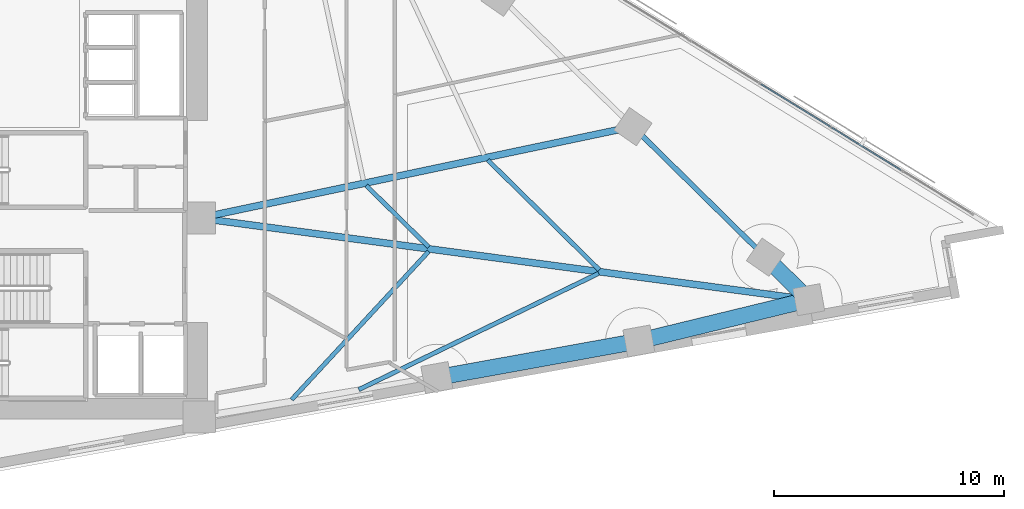
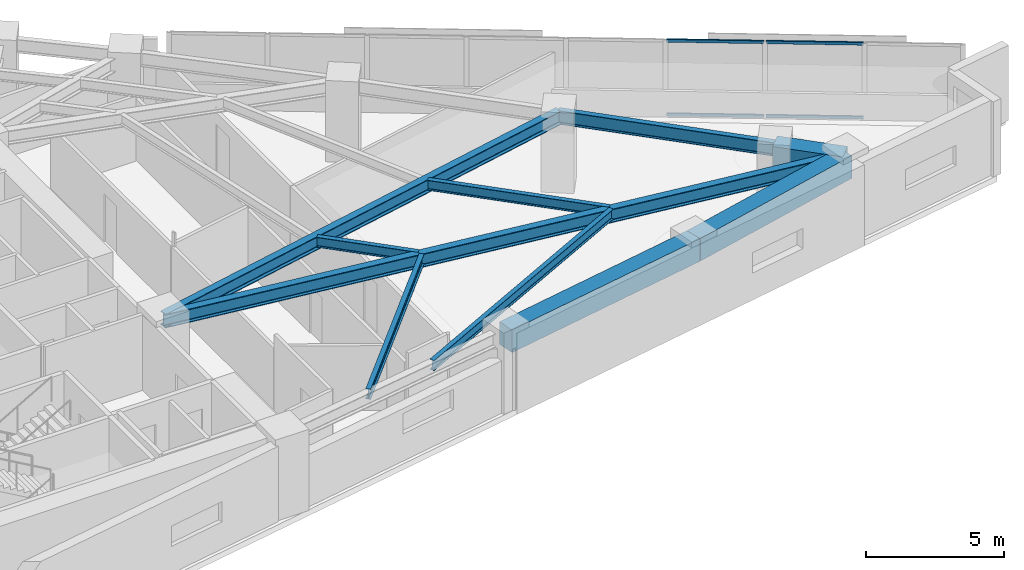
# One storey, part 3 of 18: 10 beams, 4 members, 1 element without a shape of its own.
"""IFC4 building model written with IfcOpenShell, lengths in metres."""

import ifcopenshell
import ifcopenshell.guid

model = None  # the IFC model being written
_history = None  # IfcOwnerHistory: only IFC2X3 demands one
_inside = {}  # id of a spatial element -> (the spatial element, [elements in it])
_under = {}  # id of a project, library or spatial element -> (it, [spatial elements below it])
_declared = {}  # id of a project -> (the project, [libraries it declares])
_typed = {}  # id of a type object -> (the type object, [elements of that type])
_made_of = {}  # id of a material, layer set ... -> (it, [elements and type objects made of it])


def new_model(schema):
    """Start an empty IFC model of exactly this schema.

    Asked for "IFC4X3", IfcOpenShell would pick the latest addendum, in which some entities
    have other attributes; the version numbers below select the first issue.
    IFC2X3 requires an IfcOwnerHistory on every rooted entity: one is made here for all.
    """
    global model, _history
    if schema == "IFC4X3":
        model = ifcopenshell.file(schema_version=(4, 3, 0, 0))
    else:
        model = ifcopenshell.file(schema=schema)
    _inside.clear()
    _under.clear()
    _declared.clear()
    _typed.clear()
    _made_of.clear()
    _history = None
    if model.schema == "IFC2X3":
        org = make("IfcOrganization", Name="unknown")
        user = make(
            "IfcPersonAndOrganization",
            ThePerson=make("IfcPerson", FamilyName="unknown"),
            TheOrganization=org,
        )
        app = make(
            "IfcApplication",
            ApplicationDeveloper=org,
            Version="unknown",
            ApplicationFullName="unknown",
            ApplicationIdentifier="unknown",
        )
        _history = make(
            "IfcOwnerHistory",
            OwningUser=user,
            OwningApplication=app,
            ChangeAction="ADDED",
            CreationDate=0,
        )
    return model


def make(cls, **values):
    """One entity of the class cls with the attributes given. An attribute that is None is left unset."""
    return model.create_entity(
        cls, **{name: value for name, value in values.items() if value is not None}
    )


def rooted(cls, **values):
    """An entity with a GlobalId (a new one), such as an element, a storey or a relation."""
    return make(cls, GlobalId=ifcopenshell.guid.new(), OwnerHistory=_history, **values)


def si_unit(unit_type, name, prefix=None):
    """IfcSIUnit, for example si_unit("LENGTHUNIT", "METRE", prefix="MILLI")."""
    return make("IfcSIUnit", UnitType=unit_type, Prefix=prefix, Name=name)


def assignment(units):
    """IfcUnitAssignment: the units of a project."""
    return None if units is None else make("IfcUnitAssignment", Units=units)


def point(xyz):
    """IfcCartesianPoint."""
    return None if xyz is None else make("IfcCartesianPoint", Coordinates=xyz)


def direction(xyz):
    """IfcDirection."""
    return None if xyz is None else make("IfcDirection", DirectionRatios=xyz)


def frame(location, z_axis=None, x_axis=None):
    """IfcAxis2Placement3D, a coordinate frame: its origin and axes. An axis left out is left unset."""
    return make(
        "IfcAxis2Placement3D",
        Location=point(location),
        Axis=direction(z_axis),
        RefDirection=direction(x_axis),
    )


def frame_2d(location, x_axis=None):
    """IfcAxis2Placement2D, a coordinate frame in the plane: its origin and x axis."""
    return make(
        "IfcAxis2Placement2D", Location=point(location), RefDirection=direction(x_axis)
    )


def origin():
    """The frame at (0, 0, 0) with its axes left unset."""
    return frame((0.0, 0.0, 0.0))


def origin_2d():
    """The frame at (0, 0) in the plane with its x axis left unset."""
    return frame_2d((0.0, 0.0))


def place(relative_to, where):
    """IfcLocalPlacement: puts the frame where relative to a parent placement (None: the world)."""
    return make(
        "IfcLocalPlacement", PlacementRelTo=relative_to, RelativePlacement=where
    )


def context(
    kind, dimensions, precision=None, world=None, true_north=None, identifier=None
):
    """IfcGeometricRepresentationContext, for example the 3D "Model" context."""
    return make(
        "IfcGeometricRepresentationContext",
        ContextIdentifier=identifier,
        ContextType=kind,
        CoordinateSpaceDimension=dimensions,
        Precision=precision,
        WorldCoordinateSystem=world,
        TrueNorth=true_north,
    )


def subcontext(parent, identifier, kind, view, scale=None):
    """IfcGeometricRepresentationSubContext, for example "Body" below "Model"."""
    return make(
        "IfcGeometricRepresentationSubContext",
        ContextIdentifier=identifier,
        ContextType=kind,
        ParentContext=parent,
        TargetScale=scale,
        TargetView=view,
    )


def project(units=None, contexts=None):
    """IfcProject with its units and contexts."""
    return rooted(
        "IfcProject",
        Name="project",
        RepresentationContexts=contexts,
        UnitsInContext=assignment(units),
    )


def spatial(cls, under=None, at=None, **own):
    """A site, building, storey or space (cls), placed at a placement, below another one or the project."""
    s = rooted(cls, ObjectPlacement=at, **own)
    if under is not None:
        _under.setdefault(under.id(), (under, []))[1].append(s)
    return s


def profile(cls, at=None, kind="AREA", **sizes):
    """A parametric profile (cls). Its sizes go by their IFC names, for example OverallWidth=200.0."""
    return make(cls, ProfileType=kind, Position=at, **sizes)


def rectangle(**sizes):
    """IfcRectangleProfileDef."""
    return profile("IfcRectangleProfileDef", **sizes)


def hollow_rectangle(**sizes):
    """IfcRectangleHollowProfileDef."""
    return profile("IfcRectangleHollowProfileDef", **sizes)


def i_section(**sizes):
    """IfcIShapeProfileDef."""
    return profile("IfcIShapeProfileDef", **sizes)


def extrude(swept, where, along, depth):
    """IfcExtrudedAreaSolid: the profile swept, set in the frame where, extruded along a direction by depth."""
    return make(
        "IfcExtrudedAreaSolid",
        SweptArea=swept,
        Position=where,
        ExtrudedDirection=direction(along),
        Depth=depth,
    )


def shape(context_of_items, identifier, shape_type, items):
    """IfcShapeRepresentation: the items that make up one representation, for example the "Body"."""
    return make(
        "IfcShapeRepresentation",
        ContextOfItems=context_of_items,
        RepresentationIdentifier=identifier,
        RepresentationType=shape_type,
        Items=items,
    )


def material(Name=None, Category=None):
    """IfcMaterial."""
    return make("IfcMaterial", Name=Name, Category=Category)


def material_profile(
    of_material, cross_section, Name=None, Category=None, Priority=None
):
    """IfcMaterialProfile: a cross section and its material."""
    return make(
        "IfcMaterialProfile",
        Name=Name,
        Material=of_material,
        Profile=cross_section,
        Priority=Priority,
        Category=Category,
    )


def profile_set(profiles, Name=None, composite=None):
    """IfcMaterialProfileSet."""
    return make(
        "IfcMaterialProfileSet",
        Name=Name,
        MaterialProfiles=profiles,
        CompositeProfile=composite,
    )


def made_of(thing, what):
    """Note that an element or type object is made of a material, layer set ...; save() writes the relation."""
    if what is not None:
        _made_of.setdefault(what.id(), (what, []))[1].append(thing)
    return thing


def type_object(cls, material=None, **own):
    """A type object (cls), such as IfcWallType, which elements share."""
    return made_of(rooted(cls, **own), material)


def element(
    cls,
    number,
    at=None,
    inside=None,
    cuts=None,
    type_object=None,
    material=None,
    context=None,
    identifier="Body",
    shape_type=None,
    held_by="IfcProductDefinitionShape",
    body=None,
    shapes=None,
    **own,
):
    """One element of the class cls, such as IfcWall. Its Tag is "e" and its number.

    at: its placement. inside: the storey or other place that contains it. cuts: it is an
    opening in that element (IfcRelVoidsElement). A single representation is given by context,
    identifier, shape_type and body (its items); several are given by shapes. held_by: the class
    of the entity that holds the representations. save() writes the other relations.
    """
    e = rooted(cls, Tag="e%d" % number, ObjectPlacement=at, **own)
    if body is not None:
        shapes = [shape(context, identifier, shape_type, body)]
    if shapes is not None:
        e.Representation = make(held_by, Representations=shapes)
    if inside is not None:
        _inside.setdefault(inside.id(), (inside, []))[1].append(e)
    if cuts is not None:
        rooted(
            "IfcRelVoidsElement", RelatingBuildingElement=cuts, RelatedOpeningElement=e
        )
    if type_object is not None:
        _typed.setdefault(type_object.id(), (type_object, []))[1].append(e)
    return made_of(e, material)


def aggregate(whole, parts):
    """IfcRelAggregates: a whole, such as a stair, and the parts it consists of."""
    return rooted("IfcRelAggregates", RelatingObject=whole, RelatedObjects=parts)


def save(model, path):
    """Write the relations noted so far, then the file.

    IfcRelAggregates (storeys below a building ...), IfcRelContainedInSpatialStructure (elements
    in a storey), IfcRelDefinesByType, IfcRelAssociatesMaterial and IfcRelDeclares: one each for
    every whole, place, type object, material and project.
    """
    for whole, parts in _under.values():
        aggregate(whole, parts)
    for where, things in _inside.values():
        rooted(
            "IfcRelContainedInSpatialStructure",
            RelatedElements=things,
            RelatingStructure=where,
        )
    for kind, things in _typed.values():
        rooted("IfcRelDefinesByType", RelatedObjects=things, RelatingType=kind)
    for what, things in _made_of.values():
        rooted("IfcRelAssociatesMaterial", RelatedObjects=things, RelatingMaterial=what)
    for by, libraries in _declared.values():
        rooted("IfcRelDeclares", RelatingContext=by, RelatedDefinitions=libraries)
    model.write(path)


model = new_model("IFC4")

# Units and contexts
model_context = context("Model", 3, precision=1e-05, world=origin(), true_north=direction((0.0, 1.0)))
body_context = subcontext(model_context, "Body", "Model", "MODEL_VIEW")
ifc_project = project(units=[si_unit("LENGTHUNIT", "METRE"), si_unit("AREAUNIT", "SQUARE_METRE"), si_unit("VOLUMEUNIT", "CUBIC_METRE"), si_unit("PLANEANGLEUNIT", "RADIAN"), si_unit("MASSUNIT", "GRAM", prefix="KILO")], contexts=[model_context])

# Site, building, storey
site_placement = place(None, origin())
site = spatial("IfcSite", under=ifc_project, at=site_placement, CompositionType="ELEMENT")
building_placement = place(site_placement, origin())
building = spatial("IfcBuilding", under=site, at=building_placement, Name="Narakoshi Arena Tower", CompositionType="ELEMENT")
storey_placement = place(building_placement, frame((0.0, 0.0, 110.10009765625)))
storey = spatial("IfcBuildingStorey", under=building, at=storey_placement, Name="L29", CompositionType="ELEMENT", Elevation=110.10009765625)

# Beams
ifc_material_1 = material(Name="Concrete C60/75", Category="concrete")
ifc_material_profile_1 = material_profile(ifc_material_1, rectangle(XDim=0.699951171875, YDim=1.0, at=origin_2d()), Name="RCB700x1000")
ifc_profile_set_1 = profile_set([ifc_material_profile_1], Name="Concrete C60/75")
beam_type_1 = type_object("IfcBeamType", Name="BM-CPL-1000", PredefinedType="BEAM", material=ifc_profile_set_1)
beam_1_placement = place(storey_placement, frame((95.89013671875, 36.411865234375, 2.83984375), z_axis=(0.984043032412, 0.177930633565, 0.0), x_axis=(-0.177930633565, 0.984043032412, 0.0)))
element("IfcBeam", 1, at=beam_1_placement, inside=storey, type_object=beam_type_1, Name="L29 Perimeter Edge Girder 01", PredefinedType="BEAM", context=body_context, shape_type="SweptSolid", body=[
    extrude(rectangle(XDim=0.699951171875, YDim=1.0, at=origin_2d()), origin(), (0.0, 0.0, 1.0), 8.933837890625),
])
beam_2_placement = place(storey_placement, frame((104.681396484375, 38.00146484375, 2.83984375), z_axis=(0.971695296423, 0.236237700019, 0.0), x_axis=(-0.236237700019, 0.971695296423, 0.0)))
element("IfcBeam", 2, at=beam_2_placement, inside=storey, type_object=beam_type_1, Name="L29 Perimeter Edge Girder 02", PredefinedType="BEAM", context=body_context, shape_type="SweptSolid", body=[
    extrude(rectangle(XDim=0.699951171875, YDim=1.0, at=origin_2d()), origin(), (0.0, 0.0, 1.0), 7.604248046875),
])
beam_3_placement = place(storey_placement, frame((112.0703125, 39.7978515625, 2.83984375), z_axis=(-0.712541924106, 0.70162953643, 0.0), x_axis=(-0.70162953643, -0.712541924106, 0.0)))
element("IfcBeam", 3, at=beam_3_placement, inside=storey, type_object=beam_type_1, Name="L29 Perimeter Edge Girder 03", PredefinedType="BEAM", context=body_context, shape_type="SweptSolid", body=[
    extrude(rectangle(XDim=0.699951171875, YDim=1.0, at=origin_2d()), origin(), (0.0, 0.0, 1.0), 2.639892578125),
])
ifc_material_2 = material(Name="Structural steel S355J2", Category="steel")
ifc_material_profile_2 = material_profile(ifc_material_2, i_section(OverallWidth=0.219970703125, OverallDepth=0.60009765625, WebThickness=0.011962890625, FlangeThickness=0.01904296875, FilletRadius=0.02392578125, at=origin_2d()), Name="IPE600")
ifc_profile_set_2 = profile_set([ifc_material_profile_2], Name="Structural steel S355J2")
beam_type_2 = type_object("IfcBeamType", Name="BM-EDGE-600", PredefinedType="BEAM", material=ifc_profile_set_2)
beam_4_placement = place(storey_placement, frame((110.189208984375, 41.650146484375, 3.039794921875), z_axis=(-0.712543857268, 0.701627573196, 0.0), x_axis=(-0.701627573196, -0.712543857268, 0.0)))
element("IfcBeam", 4, at=beam_4_placement, inside=storey, type_object=beam_type_2, Name="L29 Perimeter Edge Girder 04", PredefinedType="BEAM", context=body_context, shape_type="SweptSolid", body=[
    extrude(i_section(OverallWidth=0.219970703125, OverallDepth=0.60009765625, WebThickness=0.011962890625, FlangeThickness=0.01904296875, FilletRadius=0.02392578125, at=origin_2d()), origin(), (0.0, 0.0, 1.0), 8.095947265625),
])
ifc_material_profile_3 = material_profile(ifc_material_2, i_section(OverallWidth=0.300048828125, OverallDepth=0.60009765625, WebThickness=0.015380859375, FlangeThickness=0.030029296875, FilletRadius=0.027099609375, at=origin_2d()), Name="HE600B")
ifc_profile_set_3 = profile_set([ifc_material_profile_3], Name="Structural steel S355J2")
beam_type_3 = type_object("IfcBeamType", Name="BM-PRI-600", PredefinedType="BEAM", material=ifc_profile_set_3)
beam_5_placement = place(storey_placement, frame((85.550048828125, 43.35009765625, 3.039794921875), z_axis=(0.991148352242, -0.132758968996, 0.0), x_axis=(0.132758968996, 0.991148352242, 0.0)))
element("IfcBeam", 5, at=beam_5_placement, inside=storey, type_object=beam_type_3, Name="L29 Radial Primary Floor Girder 03", PredefinedType="BEAM", context=body_context, shape_type="SweptSolid", body=[
    extrude(i_section(OverallWidth=0.300048828125, OverallDepth=0.60009765625, WebThickness=0.015380859375, FlangeThickness=0.030029296875, FilletRadius=0.027099609375, at=origin_2d()), origin(), (0.0, 0.0, 1.0), 26.757080078125),
])
beam_6_placement = place(storey_placement, frame((85.550048828125, 43.35009765625, 3.039794921875), z_axis=(0.978468582694, 0.206395815562, 0.0), x_axis=(-0.206395815562, 0.978468582694, 0.0)))
element("IfcBeam", 6, at=beam_6_placement, inside=storey, type_object=beam_type_3, Name="L29 Radial Primary Floor Girder 05", PredefinedType="BEAM", context=body_context, shape_type="SweptSolid", body=[
    extrude(i_section(OverallWidth=0.300048828125, OverallDepth=0.60009765625, WebThickness=0.015380859375, FlangeThickness=0.030029296875, FilletRadius=0.027099609375, at=origin_2d()), origin(), (0.0, 0.0, 1.0), 19.28564453125),
])
ifc_material_profile_4 = material_profile(ifc_material_2, i_section(OverallWidth=0.18994140625, OverallDepth=0.449951171875, WebThickness=0.009521484375, FlangeThickness=0.0146484375, FilletRadius=0.02099609375, at=origin_2d()), Name="IPE450")
ifc_profile_set_4 = profile_set([ifc_material_profile_4], Name="Structural steel S355J2")
beam_type_4 = type_object("IfcBeamType", Name="BM-SEC-450", PredefinedType="JOIST", material=ifc_profile_set_4)
beam_7_placement = place(storey_placement, frame((89.57080078125, 35.44970703125, 3.114990234375), z_axis=(0.678905336319, 0.734225812893, 0.0), x_axis=(-0.734225812893, 0.678905336319, 0.0)))
element("IfcBeam", 7, at=beam_7_placement, inside=storey, type_object=beam_type_4, Name="L29 Composite Secondary Floor Joist 01", PredefinedType="JOIST", context=body_context, shape_type="SweptSolid", body=[
    extrude(i_section(OverallWidth=0.18994140625, OverallDepth=0.449951171875, WebThickness=0.009521484375, FlangeThickness=0.0146484375, FilletRadius=0.02099609375, at=origin_2d()), origin(), (0.0, 0.0, 1.0), 8.78662109375),
])
beam_8_placement = place(storey_placement, frame((92.495849609375, 35.888671875, 3.114990234375), z_axis=(0.899874702282, 0.436148507039, 0.0), x_axis=(-0.436148507039, 0.899874702282, 0.0)))
element("IfcBeam", 8, at=beam_8_placement, inside=storey, type_object=beam_type_4, Name="L29 Composite Secondary Floor Joist 02", PredefinedType="JOIST", context=body_context, shape_type="SweptSolid", body=[
    extrude(i_section(OverallWidth=0.18994140625, OverallDepth=0.449951171875, WebThickness=0.009521484375, FlangeThickness=0.0146484375, FilletRadius=0.02099609375, at=origin_2d()), origin(), (0.0, 0.0, 1.0), 11.59716796875),
])
beam_9_placement = place(storey_placement, frame((95.531494140625, 42.094970703125, 3.114990234375), z_axis=(-0.712564847826, 0.701606255419, 0.0), x_axis=(-0.701606255419, -0.712564847826, 0.0)))
element("IfcBeam", 9, at=beam_9_placement, inside=storey, type_object=beam_type_4, Name="L29 Composite Secondary Floor Joist 03", PredefinedType="JOIST", context=body_context, shape_type="SweptSolid", body=[
    extrude(i_section(OverallWidth=0.18994140625, OverallDepth=0.449951171875, WebThickness=0.009521484375, FlangeThickness=0.0146484375, FilletRadius=0.02099609375, at=origin_2d()), origin(), (0.0, 0.0, 1.0), 3.8095703125),
])
beam_10_placement = place(storey_placement, frame((102.957275390625, 41.100341796875, 3.114990234375), z_axis=(-0.712565992933, 0.701605092424, 0.0), x_axis=(-0.701605092424, -0.712565992933, 0.0)))
element("IfcBeam", 10, at=beam_10_placement, inside=storey, type_object=beam_type_4, Name="L29 Composite Secondary Floor Joist 04", PredefinedType="JOIST", context=body_context, shape_type="SweptSolid", body=[
    extrude(i_section(OverallWidth=0.18994140625, OverallDepth=0.449951171875, WebThickness=0.009521484375, FlangeThickness=0.0146484375, FilletRadius=0.02099609375, at=origin_2d()), origin(), (0.0, 0.0, 1.0), 6.815673828125),
])

# Curtain wall, members
ifc_material_3 = material(Name="Anodised bronze aluminium 6063-T6", Category="aluminium")
curtain_wall_type = type_object("IfcCurtainWallType", Name="CW-HYP-LOW", PredefinedType="NOTDEFINED", material=ifc_material_3)
curtain_wall_placement = place(storey_placement, origin())
curtain_wall = element("IfcCurtainWall", 11, at=curtain_wall_placement, inside=storey, type_object=curtain_wall_type, Name="L29 Folded Hypotenuse Curtain Wall 1-1", PredefinedType="NOTDEFINED")
ifc_material_profile_5 = material_profile(ifc_material_3, hollow_rectangle(XDim=0.06494140625, YDim=0.1298828125, WallThickness=0.00390625, OuterFilletRadius=0.0048828125, at=origin_2d()), Name="TRN130x65x4")
ifc_profile_set_5 = profile_set([ifc_material_profile_5], Name="Anodised bronze aluminium 6063-T6")
member_type = type_object("IfcMemberType", Name="MEM-TRN-130", PredefinedType="USERDEFINED", material=ifc_profile_set_5)
member_1_placement = place(storey_placement, frame((116.085693359375, 45.4384765625, 0.032470703125), z_axis=(-0.852103699909, 0.523372988032, 0.0), x_axis=(-0.523372988032, -0.852103699909, 0.0)))
member_1 = element("IfcMember", 12, at=member_1_placement, type_object=member_type, Name="CW-01 transom 2.1", ObjectType="TRANSOM", PredefinedType="USERDEFINED", context=body_context, shape_type="SweptSolid", body=[
    extrude(hollow_rectangle(XDim=0.06494140625, YDim=0.1298828125, WallThickness=0.00390625, OuterFilletRadius=0.0048828125, at=origin_2d()), origin(), (0.0, 0.0, 1.0), 3.535888671875),
])
member_2_placement = place(storey_placement, frame((116.085693359375, 45.4384765625, 3.307373046875), z_axis=(-0.852103699909, 0.523372988032, 0.0), x_axis=(-0.523372988032, -0.852103699909, 0.0)))
member_2 = element("IfcMember", 13, at=member_2_placement, type_object=member_type, Name="CW-01 transom 2.2", ObjectType="TRANSOM", PredefinedType="USERDEFINED", context=body_context, shape_type="SweptSolid", body=[
    extrude(hollow_rectangle(XDim=0.06494140625, YDim=0.1298828125, WallThickness=0.00390625, OuterFilletRadius=0.0048828125, at=origin_2d()), origin(), (0.0, 0.0, 1.0), 3.535888671875),
])
member_3_placement = place(storey_placement, frame((113.0087890625, 47.328125, 0.032470703125), z_axis=(-0.852103699909, 0.523372988032, 0.0), x_axis=(-0.523372988032, -0.852103699909, 0.0)))
member_3 = element("IfcMember", 14, at=member_3_placement, type_object=member_type, Name="CW-01 transom 3.1", ObjectType="TRANSOM", PredefinedType="USERDEFINED", context=body_context, shape_type="SweptSolid", body=[
    extrude(hollow_rectangle(XDim=0.06494140625, YDim=0.1298828125, WallThickness=0.00390625, OuterFilletRadius=0.0048828125, at=origin_2d()), origin(), (0.0, 0.0, 1.0), 3.535888671875),
])
member_4_placement = place(storey_placement, frame((113.0087890625, 47.328125, 3.307373046875), z_axis=(-0.852103699909, 0.523372988032, 0.0), x_axis=(-0.523372988032, -0.852103699909, 0.0)))
member_4 = element("IfcMember", 15, at=member_4_placement, type_object=member_type, Name="CW-01 transom 3.2", ObjectType="TRANSOM", PredefinedType="USERDEFINED", context=body_context, shape_type="SweptSolid", body=[
    extrude(hollow_rectangle(XDim=0.06494140625, YDim=0.1298828125, WallThickness=0.00390625, OuterFilletRadius=0.0048828125, at=origin_2d()), origin(), (0.0, 0.0, 1.0), 3.535888671875),
])
aggregate(curtain_wall, [member_1, member_2, member_3, member_4])

save(model, "model.ifc")
